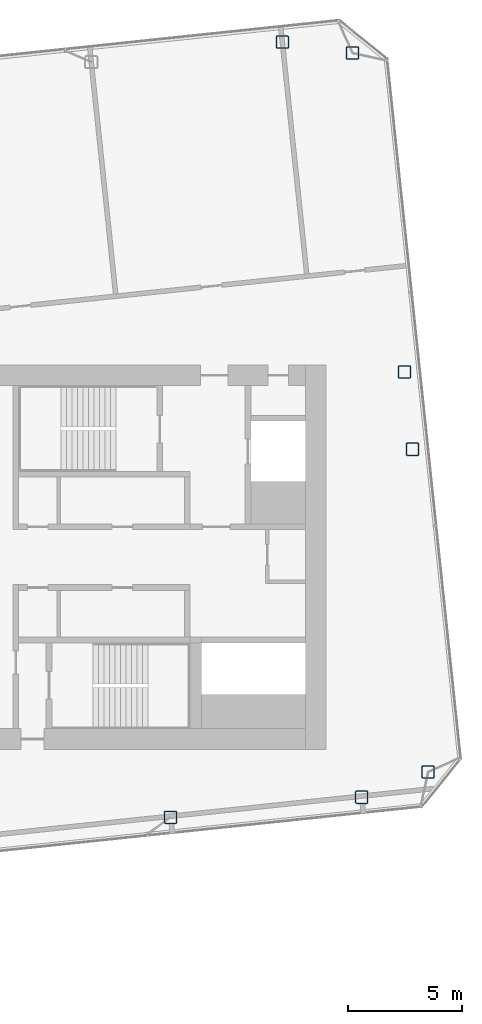
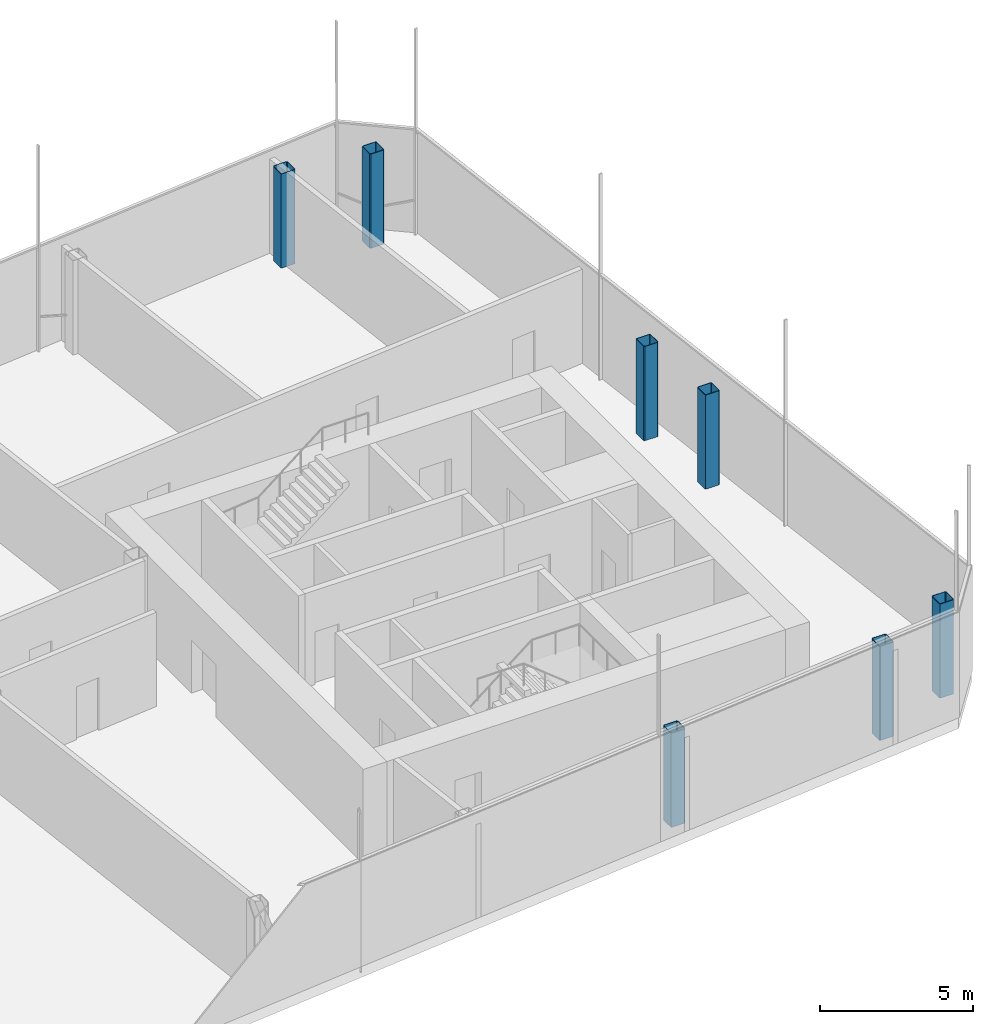
# One storey, part 2 of 41: 7 columns.
"""IFC4 building model written with IfcOpenShell, lengths in metres."""

import ifcopenshell
import ifcopenshell.guid

model = None  # the IFC model being written
_history = None  # IfcOwnerHistory: only IFC2X3 demands one
_inside = {}  # id of a spatial element -> (the spatial element, [elements in it])
_under = {}  # id of a project, library or spatial element -> (it, [spatial elements below it])
_declared = {}  # id of a project -> (the project, [libraries it declares])
_typed = {}  # id of a type object -> (the type object, [elements of that type])
_made_of = {}  # id of a material, layer set ... -> (it, [elements and type objects made of it])


def new_model(schema):
    """Start an empty IFC model of exactly this schema.

    Asked for "IFC4X3", IfcOpenShell would pick the latest addendum, in which some entities
    have other attributes; the version numbers below select the first issue.
    IFC2X3 requires an IfcOwnerHistory on every rooted entity: one is made here for all.
    """
    global model, _history
    if schema == "IFC4X3":
        model = ifcopenshell.file(schema_version=(4, 3, 0, 0))
    else:
        model = ifcopenshell.file(schema=schema)
    _inside.clear()
    _under.clear()
    _declared.clear()
    _typed.clear()
    _made_of.clear()
    _history = None
    if model.schema == "IFC2X3":
        org = make("IfcOrganization", Name="unknown")
        user = make(
            "IfcPersonAndOrganization",
            ThePerson=make("IfcPerson", FamilyName="unknown"),
            TheOrganization=org,
        )
        app = make(
            "IfcApplication",
            ApplicationDeveloper=org,
            Version="unknown",
            ApplicationFullName="unknown",
            ApplicationIdentifier="unknown",
        )
        _history = make(
            "IfcOwnerHistory",
            OwningUser=user,
            OwningApplication=app,
            ChangeAction="ADDED",
            CreationDate=0,
        )
    return model


def make(cls, **values):
    """One entity of the class cls with the attributes given. An attribute that is None is left unset."""
    return model.create_entity(
        cls, **{name: value for name, value in values.items() if value is not None}
    )


def rooted(cls, **values):
    """An entity with a GlobalId (a new one), such as an element, a storey or a relation."""
    return make(cls, GlobalId=ifcopenshell.guid.new(), OwnerHistory=_history, **values)


def si_unit(unit_type, name, prefix=None):
    """IfcSIUnit, for example si_unit("LENGTHUNIT", "METRE", prefix="MILLI")."""
    return make("IfcSIUnit", UnitType=unit_type, Prefix=prefix, Name=name)


def assignment(units):
    """IfcUnitAssignment: the units of a project."""
    return None if units is None else make("IfcUnitAssignment", Units=units)


def point(xyz):
    """IfcCartesianPoint."""
    return None if xyz is None else make("IfcCartesianPoint", Coordinates=xyz)


def direction(xyz):
    """IfcDirection."""
    return None if xyz is None else make("IfcDirection", DirectionRatios=xyz)


def frame(location, z_axis=None, x_axis=None):
    """IfcAxis2Placement3D, a coordinate frame: its origin and axes. An axis left out is left unset."""
    return make(
        "IfcAxis2Placement3D",
        Location=point(location),
        Axis=direction(z_axis),
        RefDirection=direction(x_axis),
    )


def frame_2d(location, x_axis=None):
    """IfcAxis2Placement2D, a coordinate frame in the plane: its origin and x axis."""
    return make(
        "IfcAxis2Placement2D", Location=point(location), RefDirection=direction(x_axis)
    )


def origin():
    """The frame at (0, 0, 0) with its axes left unset."""
    return frame((0.0, 0.0, 0.0))


def origin_2d():
    """The frame at (0, 0) in the plane with its x axis left unset."""
    return frame_2d((0.0, 0.0))


def place(relative_to, where):
    """IfcLocalPlacement: puts the frame where relative to a parent placement (None: the world)."""
    return make(
        "IfcLocalPlacement", PlacementRelTo=relative_to, RelativePlacement=where
    )


def context(
    kind, dimensions, precision=None, world=None, true_north=None, identifier=None
):
    """IfcGeometricRepresentationContext, for example the 3D "Model" context."""
    return make(
        "IfcGeometricRepresentationContext",
        ContextIdentifier=identifier,
        ContextType=kind,
        CoordinateSpaceDimension=dimensions,
        Precision=precision,
        WorldCoordinateSystem=world,
        TrueNorth=true_north,
    )


def subcontext(parent, identifier, kind, view, scale=None):
    """IfcGeometricRepresentationSubContext, for example "Body" below "Model"."""
    return make(
        "IfcGeometricRepresentationSubContext",
        ContextIdentifier=identifier,
        ContextType=kind,
        ParentContext=parent,
        TargetScale=scale,
        TargetView=view,
    )


def project(units=None, contexts=None):
    """IfcProject with its units and contexts."""
    return rooted(
        "IfcProject",
        Name="project",
        RepresentationContexts=contexts,
        UnitsInContext=assignment(units),
    )


def spatial(cls, under=None, at=None, **own):
    """A site, building, storey or space (cls), placed at a placement, below another one or the project."""
    s = rooted(cls, ObjectPlacement=at, **own)
    if under is not None:
        _under.setdefault(under.id(), (under, []))[1].append(s)
    return s


def profile(cls, at=None, kind="AREA", **sizes):
    """A parametric profile (cls). Its sizes go by their IFC names, for example OverallWidth=200.0."""
    return make(cls, ProfileType=kind, Position=at, **sizes)


def hollow_rectangle(**sizes):
    """IfcRectangleHollowProfileDef."""
    return profile("IfcRectangleHollowProfileDef", **sizes)


def extrude(swept, where, along, depth):
    """IfcExtrudedAreaSolid: the profile swept, set in the frame where, extruded along a direction by depth."""
    return make(
        "IfcExtrudedAreaSolid",
        SweptArea=swept,
        Position=where,
        ExtrudedDirection=direction(along),
        Depth=depth,
    )


def shape(context_of_items, identifier, shape_type, items):
    """IfcShapeRepresentation: the items that make up one representation, for example the "Body"."""
    return make(
        "IfcShapeRepresentation",
        ContextOfItems=context_of_items,
        RepresentationIdentifier=identifier,
        RepresentationType=shape_type,
        Items=items,
    )


def material(Name=None, Category=None):
    """IfcMaterial."""
    return make("IfcMaterial", Name=Name, Category=Category)


def material_profile(
    of_material, cross_section, Name=None, Category=None, Priority=None
):
    """IfcMaterialProfile: a cross section and its material."""
    return make(
        "IfcMaterialProfile",
        Name=Name,
        Material=of_material,
        Profile=cross_section,
        Priority=Priority,
        Category=Category,
    )


def profile_set(profiles, Name=None, composite=None):
    """IfcMaterialProfileSet."""
    return make(
        "IfcMaterialProfileSet",
        Name=Name,
        MaterialProfiles=profiles,
        CompositeProfile=composite,
    )


def made_of(thing, what):
    """Note that an element or type object is made of a material, layer set ...; save() writes the relation."""
    if what is not None:
        _made_of.setdefault(what.id(), (what, []))[1].append(thing)
    return thing


def type_object(cls, material=None, **own):
    """A type object (cls), such as IfcWallType, which elements share."""
    return made_of(rooted(cls, **own), material)


def element(
    cls,
    number,
    at=None,
    inside=None,
    cuts=None,
    type_object=None,
    material=None,
    context=None,
    identifier="Body",
    shape_type=None,
    held_by="IfcProductDefinitionShape",
    body=None,
    shapes=None,
    **own,
):
    """One element of the class cls, such as IfcWall. Its Tag is "e" and its number.

    at: its placement. inside: the storey or other place that contains it. cuts: it is an
    opening in that element (IfcRelVoidsElement). A single representation is given by context,
    identifier, shape_type and body (its items); several are given by shapes. held_by: the class
    of the entity that holds the representations. save() writes the other relations.
    """
    e = rooted(cls, Tag="e%d" % number, ObjectPlacement=at, **own)
    if body is not None:
        shapes = [shape(context, identifier, shape_type, body)]
    if shapes is not None:
        e.Representation = make(held_by, Representations=shapes)
    if inside is not None:
        _inside.setdefault(inside.id(), (inside, []))[1].append(e)
    if cuts is not None:
        rooted(
            "IfcRelVoidsElement", RelatingBuildingElement=cuts, RelatedOpeningElement=e
        )
    if type_object is not None:
        _typed.setdefault(type_object.id(), (type_object, []))[1].append(e)
    return made_of(e, material)


def aggregate(whole, parts):
    """IfcRelAggregates: a whole, such as a stair, and the parts it consists of."""
    return rooted("IfcRelAggregates", RelatingObject=whole, RelatedObjects=parts)


def save(model, path):
    """Write the relations noted so far, then the file.

    IfcRelAggregates (storeys below a building ...), IfcRelContainedInSpatialStructure (elements
    in a storey), IfcRelDefinesByType, IfcRelAssociatesMaterial and IfcRelDeclares: one each for
    every whole, place, type object, material and project.
    """
    for whole, parts in _under.values():
        aggregate(whole, parts)
    for where, things in _inside.values():
        rooted(
            "IfcRelContainedInSpatialStructure",
            RelatedElements=things,
            RelatingStructure=where,
        )
    for kind, things in _typed.values():
        rooted("IfcRelDefinesByType", RelatedObjects=things, RelatingType=kind)
    for what, things in _made_of.values():
        rooted("IfcRelAssociatesMaterial", RelatedObjects=things, RelatingMaterial=what)
    for by, libraries in _declared.values():
        rooted("IfcRelDeclares", RelatingContext=by, RelatedDefinitions=libraries)
    model.write(path)


model = new_model("IFC4")

# Units and contexts
model_context = context("Model", 3, precision=1e-05, world=origin(), true_north=direction((0.0, 1.0)))
body_context = subcontext(model_context, "Body", "Model", "MODEL_VIEW")
ifc_project = project(units=[si_unit("LENGTHUNIT", "METRE"), si_unit("AREAUNIT", "SQUARE_METRE"), si_unit("VOLUMEUNIT", "CUBIC_METRE"), si_unit("PLANEANGLEUNIT", "RADIAN"), si_unit("MASSUNIT", "GRAM", prefix="KILO")], contexts=[model_context])

# Site, building, storey
site_placement = place(None, origin())
site = spatial("IfcSite", under=ifc_project, at=site_placement, CompositionType="ELEMENT")
building_placement = place(site_placement, origin())
building = spatial("IfcBuilding", under=site, at=building_placement, Name="Hakoniwa Tower and Hamabe Station Hall", CompositionType="ELEMENT")
storey_placement = place(building_placement, frame((0.0, 0.0, 276.60009765625)))
storey = spatial("IfcBuildingStorey", under=building, at=storey_placement, Name="L77", CompositionType="ELEMENT", Elevation=276.60009765625)

# Columns
ifc_material = material(Name="Steel BCP325", Category="steel")
ifc_material_profile = material_profile(ifc_material, hollow_rectangle(XDim=0.550048828125, YDim=0.550048828125, WallThickness=0.02197265625, InnerFilletRadius=0.032958984375, OuterFilletRadius=0.054931640625, at=origin_2d()), Name="BCP-550x550x22")
ifc_profile_set = profile_set([ifc_material_profile], Name="Steel BCP325")
column_type = type_object("IfcColumnType", Name="COLUMN BCP-550x550x22", PredefinedType="COLUMN", material=ifc_profile_set)
for number, where, z_axis, x_axis, name in (
    (1, (26.797119140625, -11.375, 0.0), (0.0, 0.0, 1.0), (1.0, 0.0, 0.0), "Column B5-10-A5"),
    (2, (35.151123046875, -10.496826171875, 0.0), (0.0, 0.0, 1.0), (1.0, 0.0, 0.0), "Column B5-11-A5"),
    (3, (31.680908203125, 22.521240234375, 0.0), (0.0, 0.0, 1.0), (1.0, 0.0, 0.0), "Column B5-11-F5"),
    (4, (38.054443359375, -9.390380859375, 0.0), (0.0, 0.0, 1.0), (1.0, 0.0, 0.0), "Column B5-EE-A5"),
    (5, (37.372802734375, 4.71875, 0.0), (0.0, 0.0, 1.0), (1.0, 0.0, 0.0), "Column B5-EE-C5"),
    (6, (37.017333984375, 8.10009765625, 0.0), (0.0, 0.0, 1.0), (1.0, 0.0, 0.0), "Column B5-EE-D5"),
    (7, (34.750732421875, 22.04248046875, 0.0), (0.0, 0.0, 1.0), (1.0, 0.0, 0.0), "Column B5-EE-F5"),
):
    element("IfcColumn", number, at=place(storey_placement, frame(where, z_axis=z_axis, x_axis=x_axis)), inside=storey, type_object=column_type, Name=name, PredefinedType="COLUMN", context=body_context, shape_type="SweptSolid", body=[
        extrude(hollow_rectangle(XDim=0.550048828125, YDim=0.550048828125, WallThickness=0.02197265625, InnerFilletRadius=0.032958984375, OuterFilletRadius=0.054931640625, at=origin_2d()), origin(), (0.0, 0.0, 1.0), 3.75),
    ])

save(model, "model.ifc")
